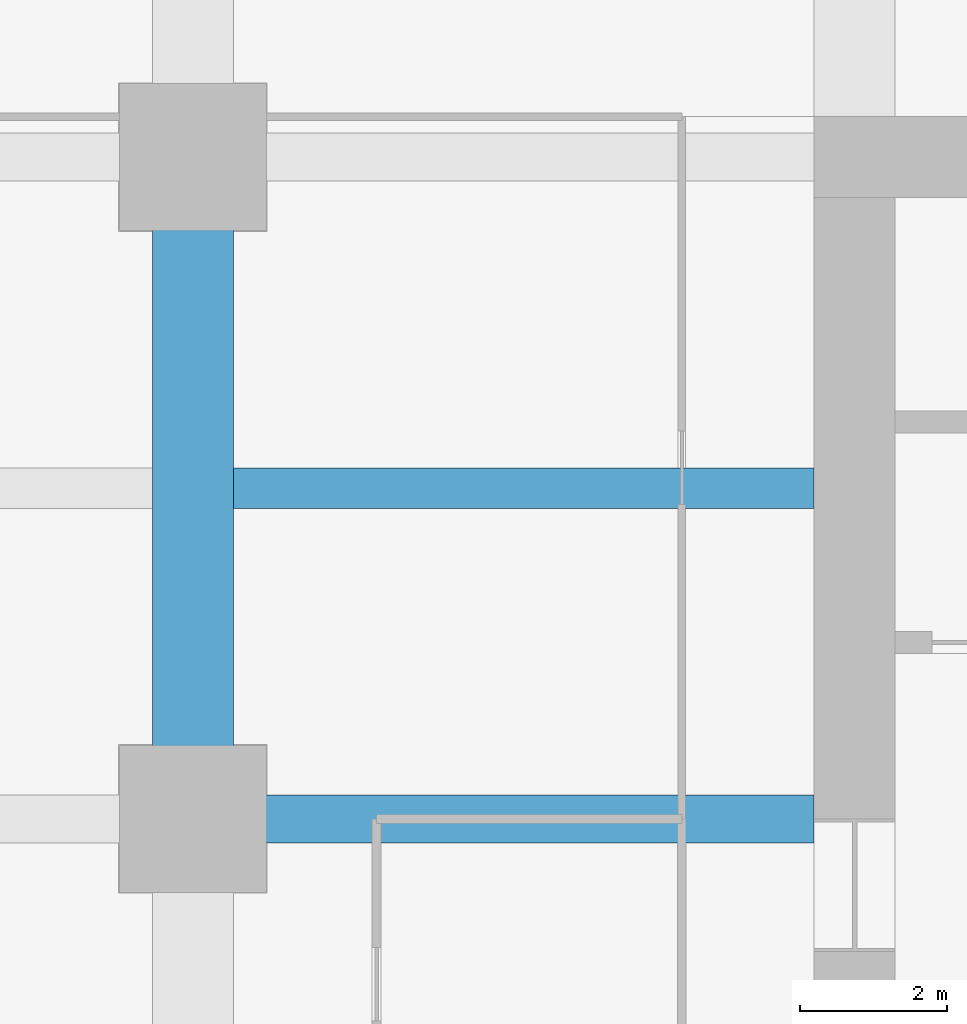
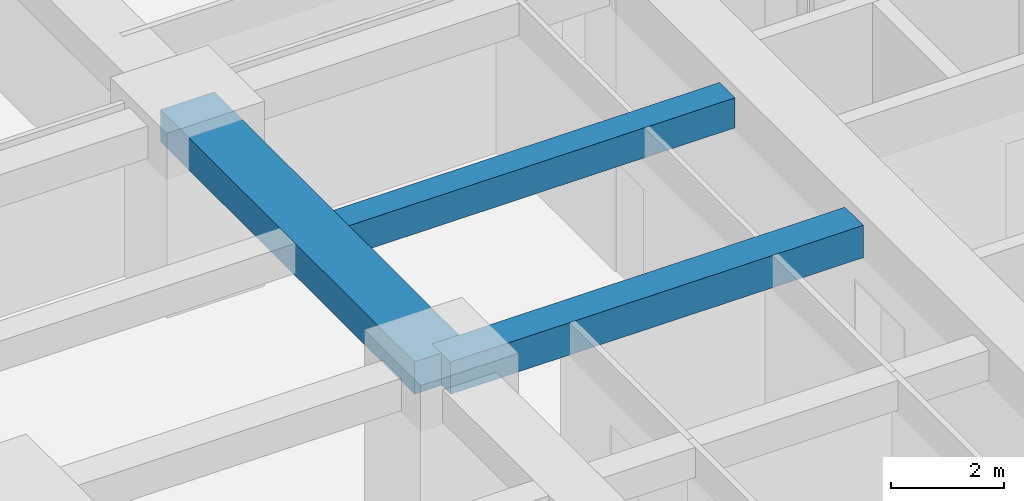
# One storey, part 12 of 41: 3 beams.
"""IFC4 building model written with IfcOpenShell, lengths in metres."""

import ifcopenshell
import ifcopenshell.guid

model = None  # the IFC model being written
_history = None  # IfcOwnerHistory: only IFC2X3 demands one
_inside = {}  # id of a spatial element -> (the spatial element, [elements in it])
_under = {}  # id of a project, library or spatial element -> (it, [spatial elements below it])
_declared = {}  # id of a project -> (the project, [libraries it declares])
_typed = {}  # id of a type object -> (the type object, [elements of that type])
_made_of = {}  # id of a material, layer set ... -> (it, [elements and type objects made of it])


def new_model(schema):
    """Start an empty IFC model of exactly this schema.

    Asked for "IFC4X3", IfcOpenShell would pick the latest addendum, in which some entities
    have other attributes; the version numbers below select the first issue.
    IFC2X3 requires an IfcOwnerHistory on every rooted entity: one is made here for all.
    """
    global model, _history
    if schema == "IFC4X3":
        model = ifcopenshell.file(schema_version=(4, 3, 0, 0))
    else:
        model = ifcopenshell.file(schema=schema)
    _inside.clear()
    _under.clear()
    _declared.clear()
    _typed.clear()
    _made_of.clear()
    _history = None
    if model.schema == "IFC2X3":
        org = make("IfcOrganization", Name="unknown")
        user = make(
            "IfcPersonAndOrganization",
            ThePerson=make("IfcPerson", FamilyName="unknown"),
            TheOrganization=org,
        )
        app = make(
            "IfcApplication",
            ApplicationDeveloper=org,
            Version="unknown",
            ApplicationFullName="unknown",
            ApplicationIdentifier="unknown",
        )
        _history = make(
            "IfcOwnerHistory",
            OwningUser=user,
            OwningApplication=app,
            ChangeAction="ADDED",
            CreationDate=0,
        )
    return model


def make(cls, **values):
    """One entity of the class cls with the attributes given. An attribute that is None is left unset."""
    return model.create_entity(
        cls, **{name: value for name, value in values.items() if value is not None}
    )


def rooted(cls, **values):
    """An entity with a GlobalId (a new one), such as an element, a storey or a relation."""
    return make(cls, GlobalId=ifcopenshell.guid.new(), OwnerHistory=_history, **values)


def si_unit(unit_type, name, prefix=None):
    """IfcSIUnit, for example si_unit("LENGTHUNIT", "METRE", prefix="MILLI")."""
    return make("IfcSIUnit", UnitType=unit_type, Prefix=prefix, Name=name)


def assignment(units):
    """IfcUnitAssignment: the units of a project."""
    return None if units is None else make("IfcUnitAssignment", Units=units)


def point(xyz):
    """IfcCartesianPoint."""
    return None if xyz is None else make("IfcCartesianPoint", Coordinates=xyz)


def direction(xyz):
    """IfcDirection."""
    return None if xyz is None else make("IfcDirection", DirectionRatios=xyz)


def frame(location, z_axis=None, x_axis=None):
    """IfcAxis2Placement3D, a coordinate frame: its origin and axes. An axis left out is left unset."""
    return make(
        "IfcAxis2Placement3D",
        Location=point(location),
        Axis=direction(z_axis),
        RefDirection=direction(x_axis),
    )


def frame_2d(location, x_axis=None):
    """IfcAxis2Placement2D, a coordinate frame in the plane: its origin and x axis."""
    return make(
        "IfcAxis2Placement2D", Location=point(location), RefDirection=direction(x_axis)
    )


def origin():
    """The frame at (0, 0, 0) with its axes left unset."""
    return frame((0.0, 0.0, 0.0))


def origin_2d():
    """The frame at (0, 0) in the plane with its x axis left unset."""
    return frame_2d((0.0, 0.0))


def place(relative_to, where):
    """IfcLocalPlacement: puts the frame where relative to a parent placement (None: the world)."""
    return make(
        "IfcLocalPlacement", PlacementRelTo=relative_to, RelativePlacement=where
    )


def context(
    kind, dimensions, precision=None, world=None, true_north=None, identifier=None
):
    """IfcGeometricRepresentationContext, for example the 3D "Model" context."""
    return make(
        "IfcGeometricRepresentationContext",
        ContextIdentifier=identifier,
        ContextType=kind,
        CoordinateSpaceDimension=dimensions,
        Precision=precision,
        WorldCoordinateSystem=world,
        TrueNorth=true_north,
    )


def subcontext(parent, identifier, kind, view, scale=None):
    """IfcGeometricRepresentationSubContext, for example "Body" below "Model"."""
    return make(
        "IfcGeometricRepresentationSubContext",
        ContextIdentifier=identifier,
        ContextType=kind,
        ParentContext=parent,
        TargetScale=scale,
        TargetView=view,
    )


def project(units=None, contexts=None):
    """IfcProject with its units and contexts."""
    return rooted(
        "IfcProject",
        Name="project",
        RepresentationContexts=contexts,
        UnitsInContext=assignment(units),
    )


def spatial(cls, under=None, at=None, **own):
    """A site, building, storey or space (cls), placed at a placement, below another one or the project."""
    s = rooted(cls, ObjectPlacement=at, **own)
    if under is not None:
        _under.setdefault(under.id(), (under, []))[1].append(s)
    return s


def profile(cls, at=None, kind="AREA", **sizes):
    """A parametric profile (cls). Its sizes go by their IFC names, for example OverallWidth=200.0."""
    return make(cls, ProfileType=kind, Position=at, **sizes)


def rectangle(**sizes):
    """IfcRectangleProfileDef."""
    return profile("IfcRectangleProfileDef", **sizes)


def extrude(swept, where, along, depth):
    """IfcExtrudedAreaSolid: the profile swept, set in the frame where, extruded along a direction by depth."""
    return make(
        "IfcExtrudedAreaSolid",
        SweptArea=swept,
        Position=where,
        ExtrudedDirection=direction(along),
        Depth=depth,
    )


def shape(context_of_items, identifier, shape_type, items):
    """IfcShapeRepresentation: the items that make up one representation, for example the "Body"."""
    return make(
        "IfcShapeRepresentation",
        ContextOfItems=context_of_items,
        RepresentationIdentifier=identifier,
        RepresentationType=shape_type,
        Items=items,
    )


def material(Name=None, Category=None):
    """IfcMaterial."""
    return make("IfcMaterial", Name=Name, Category=Category)


def material_profile(
    of_material, cross_section, Name=None, Category=None, Priority=None
):
    """IfcMaterialProfile: a cross section and its material."""
    return make(
        "IfcMaterialProfile",
        Name=Name,
        Material=of_material,
        Profile=cross_section,
        Priority=Priority,
        Category=Category,
    )


def profile_set(profiles, Name=None, composite=None):
    """IfcMaterialProfileSet."""
    return make(
        "IfcMaterialProfileSet",
        Name=Name,
        MaterialProfiles=profiles,
        CompositeProfile=composite,
    )


def made_of(thing, what):
    """Note that an element or type object is made of a material, layer set ...; save() writes the relation."""
    if what is not None:
        _made_of.setdefault(what.id(), (what, []))[1].append(thing)
    return thing


def type_object(cls, material=None, **own):
    """A type object (cls), such as IfcWallType, which elements share."""
    return made_of(rooted(cls, **own), material)


def element(
    cls,
    number,
    at=None,
    inside=None,
    cuts=None,
    type_object=None,
    material=None,
    context=None,
    identifier="Body",
    shape_type=None,
    held_by="IfcProductDefinitionShape",
    body=None,
    shapes=None,
    **own,
):
    """One element of the class cls, such as IfcWall. Its Tag is "e" and its number.

    at: its placement. inside: the storey or other place that contains it. cuts: it is an
    opening in that element (IfcRelVoidsElement). A single representation is given by context,
    identifier, shape_type and body (its items); several are given by shapes. held_by: the class
    of the entity that holds the representations. save() writes the other relations.
    """
    e = rooted(cls, Tag="e%d" % number, ObjectPlacement=at, **own)
    if body is not None:
        shapes = [shape(context, identifier, shape_type, body)]
    if shapes is not None:
        e.Representation = make(held_by, Representations=shapes)
    if inside is not None:
        _inside.setdefault(inside.id(), (inside, []))[1].append(e)
    if cuts is not None:
        rooted(
            "IfcRelVoidsElement", RelatingBuildingElement=cuts, RelatedOpeningElement=e
        )
    if type_object is not None:
        _typed.setdefault(type_object.id(), (type_object, []))[1].append(e)
    return made_of(e, material)


def aggregate(whole, parts):
    """IfcRelAggregates: a whole, such as a stair, and the parts it consists of."""
    return rooted("IfcRelAggregates", RelatingObject=whole, RelatedObjects=parts)


def save(model, path):
    """Write the relations noted so far, then the file.

    IfcRelAggregates (storeys below a building ...), IfcRelContainedInSpatialStructure (elements
    in a storey), IfcRelDefinesByType, IfcRelAssociatesMaterial and IfcRelDeclares: one each for
    every whole, place, type object, material and project.
    """
    for whole, parts in _under.values():
        aggregate(whole, parts)
    for where, things in _inside.values():
        rooted(
            "IfcRelContainedInSpatialStructure",
            RelatedElements=things,
            RelatingStructure=where,
        )
    for kind, things in _typed.values():
        rooted("IfcRelDefinesByType", RelatedObjects=things, RelatingType=kind)
    for what, things in _made_of.values():
        rooted("IfcRelAssociatesMaterial", RelatedObjects=things, RelatingMaterial=what)
    for by, libraries in _declared.values():
        rooted("IfcRelDeclares", RelatingContext=by, RelatedDefinitions=libraries)
    model.write(path)


model = new_model("IFC4")

# Units and contexts
model_context = context("Model", 3, precision=1e-05, world=origin(), true_north=direction((0.0, 1.0)))
body_context = subcontext(model_context, "Body", "Model", "MODEL_VIEW")
ifc_project = project(units=[si_unit("LENGTHUNIT", "METRE"), si_unit("AREAUNIT", "SQUARE_METRE"), si_unit("VOLUMEUNIT", "CUBIC_METRE"), si_unit("PLANEANGLEUNIT", "RADIAN"), si_unit("MASSUNIT", "GRAM", prefix="KILO")], contexts=[model_context])

# Site, building, storey
site_placement = place(None, origin())
site = spatial("IfcSite", under=ifc_project, at=site_placement, CompositionType="ELEMENT")
building_placement = place(site_placement, origin())
building = spatial("IfcBuilding", under=site, at=building_placement, Name="Zorevar Civic Tower", CompositionType="ELEMENT")
storey_placement = place(building_placement, frame((0.0, 0.0, 97.0)))
storey = spatial("IfcBuildingStorey", under=building, at=storey_placement, Name="L23", CompositionType="ELEMENT", Elevation=97.0)

# Beams
ifc_material_1 = material(Name="Concrete C50/60", Category="concrete")
ifc_material_profile_1 = material_profile(ifc_material_1, rectangle(XDim=1.10009765625, YDim=0.699951171875, at=origin_2d()), Name="RC 1100x700")
ifc_profile_set_1 = profile_set([ifc_material_profile_1], Name="Concrete C50/60")
beam_type_1 = type_object("IfcBeamType", Name="Beam RC 1100x700", PredefinedType="BEAM", material=ifc_profile_set_1)
beam_1_placement = place(storey_placement, frame((9.0, 27.0, 3.39990234375), z_axis=(0.0, 1.0, 0.0), x_axis=(-1.0, 0.0, 0.0)))
element("IfcBeam", 1, at=beam_1_placement, inside=storey, type_object=beam_type_1, Name="Girder L24", PredefinedType="BEAM", context=body_context, shape_type="SweptSolid", body=[
    extrude(rectangle(XDim=1.10009765625, YDim=0.699951171875, at=origin_2d()), origin(), (0.0, 0.0, 1.0), 9.0),
])
ifc_material_2 = material(Name="Concrete C50/60", Category="concrete")
ifc_material_profile_2 = material_profile(ifc_material_2, rectangle(XDim=0.550048828125, YDim=0.64990234375, at=origin_2d()), Name="RC 550x650")
ifc_profile_set_2 = profile_set([ifc_material_profile_2], Name="Concrete C50/60")
beam_type_2 = type_object("IfcBeamType", Name="Beam RC 550x650", PredefinedType="BEAM", material=ifc_profile_set_2)
beam_2_placement = place(storey_placement, frame((9.550048828125, 31.5, 3.425048828125), z_axis=(1.0, 0.0, 0.0), x_axis=(0.0, 1.0, 0.0)))
element("IfcBeam", 2, at=beam_2_placement, inside=storey, type_object=beam_type_2, Name="Secondary beam L24", PredefinedType="BEAM", context=body_context, shape_type="SweptSolid", body=[
    extrude(rectangle(XDim=0.550048828125, YDim=0.64990234375, at=origin_2d()), origin(), (0.0, 0.0, 1.0), 7.89990234375),
])
ifc_material_3 = material(Name="Concrete C50/60", Category="concrete")
ifc_material_profile_3 = material_profile(ifc_material_3, rectangle(XDim=0.64990234375, YDim=0.699951171875, at=origin_2d()), Name="RC 650x700")
ifc_profile_set_3 = profile_set([ifc_material_profile_3], Name="Concrete C50/60")
beam_type_3 = type_object("IfcBeamType", Name="Beam RC 650x700", PredefinedType="BEAM", material=ifc_profile_set_3)
beam_3_placement = place(storey_placement, frame((9.0, 27.0, 3.39990234375), z_axis=(1.0, 0.0, 0.0), x_axis=(0.0, 1.0, 0.0)))
element("IfcBeam", 3, at=beam_3_placement, inside=storey, type_object=beam_type_3, Name="Girder L24", PredefinedType="BEAM", context=body_context, shape_type="SweptSolid", body=[
    extrude(rectangle(XDim=0.64990234375, YDim=0.699951171875, at=origin_2d()), origin(), (0.0, 0.0, 1.0), 8.449951171875),
])

save(model, "model.ifc")
